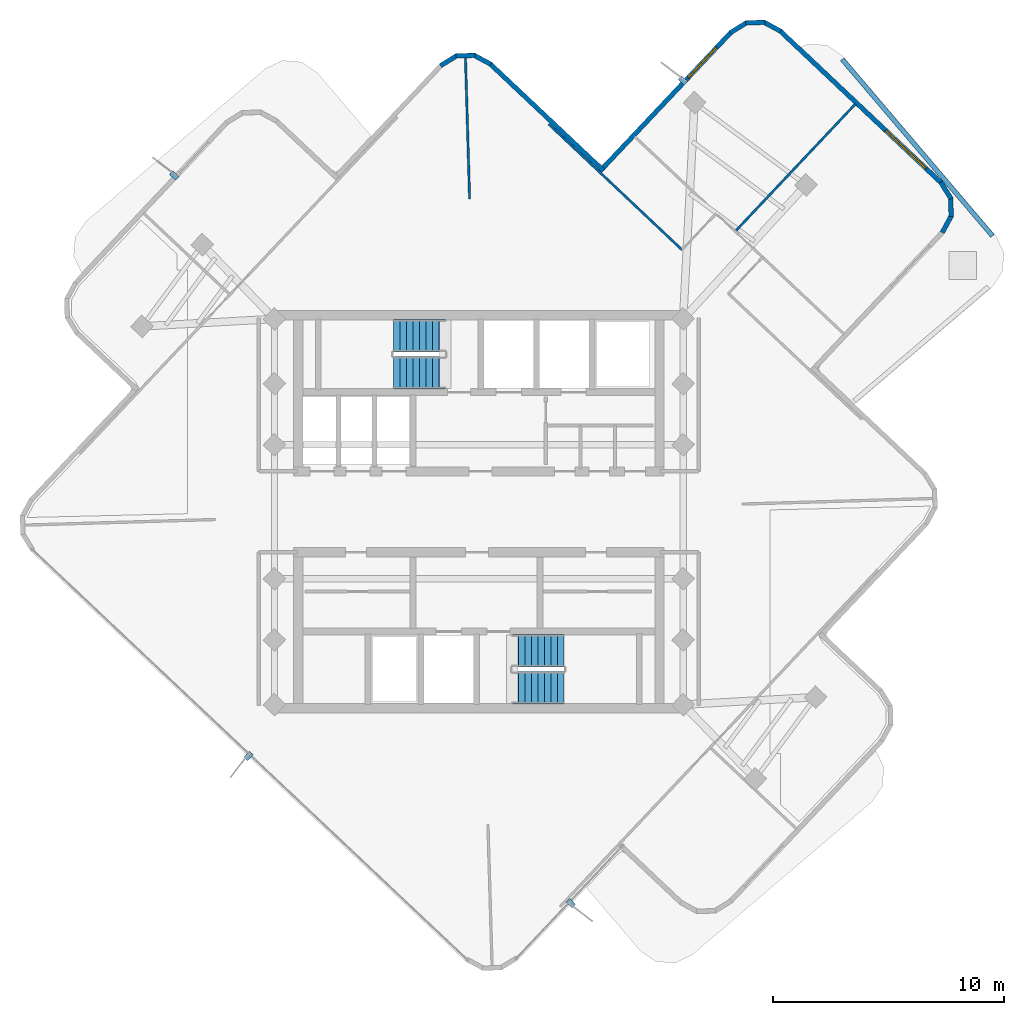
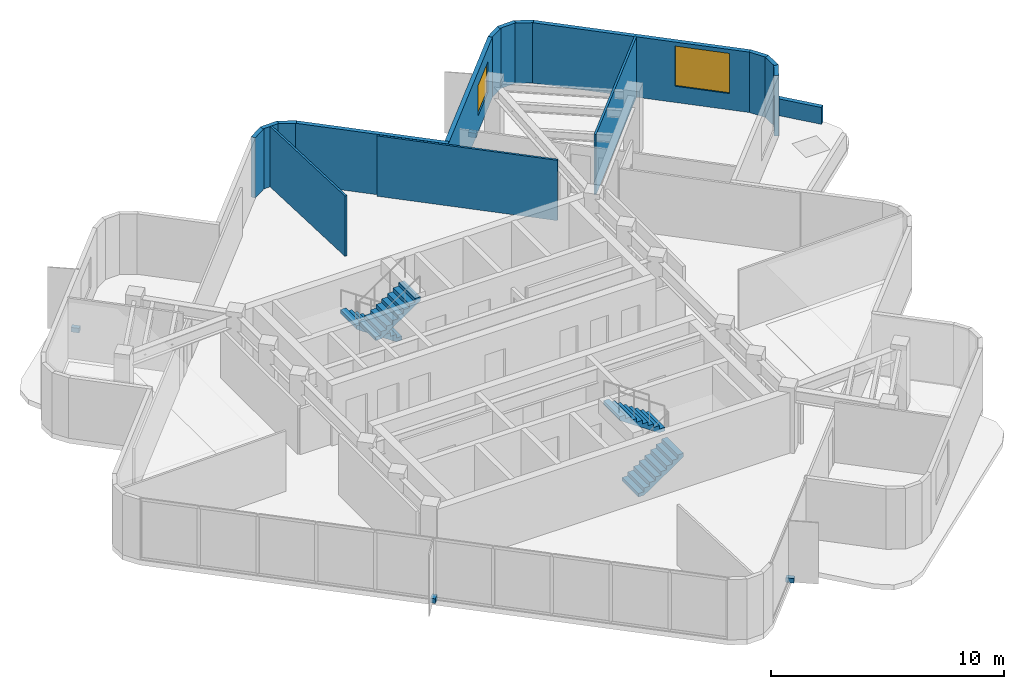
# One storey, part 8 of 10: 16 walls, 4 discrete accessories, 4 stair flights, 2 windows, 2 openings, 2 elements without a shape of their own.
"""IFC4 building model written with IfcOpenShell, lengths in metres."""

from ifc_helpers import new_model, si_unit, direction, frame, frame_2d, origin, origin_2d, place, context, subcontext, project, spatial, polyline, rectangle, outline, extrude, material, layer, layer_set, type_object, element, fill, aggregate, save


model = new_model("IFC4")

# Units and contexts
model_context = context("Model", 3, precision=1e-05, world=origin(), true_north=direction((0.0, 1.0)))
body_context = subcontext(model_context, "Body", "Model", "MODEL_VIEW")
ifc_project = project(units=[si_unit("LENGTHUNIT", "METRE"), si_unit("AREAUNIT", "SQUARE_METRE"), si_unit("VOLUMEUNIT", "CUBIC_METRE"), si_unit("PLANEANGLEUNIT", "RADIAN"), si_unit("MASSUNIT", "GRAM", prefix="KILO")], contexts=[model_context])

# Site, building, storey
site_placement = place(None, origin())
site = spatial("IfcSite", under=ifc_project, at=site_placement, CompositionType="ELEMENT")
building_placement = place(site_placement, origin())
building = spatial("IfcBuilding", under=site, at=building_placement, Name="Solmarez Civic Tower", CompositionType="ELEMENT")
storey_placement = place(building_placement, frame((0.0, 0.0, 244.080078125)))
storey = spatial("IfcBuildingStorey", under=building, at=storey_placement, Name="L65", CompositionType="ELEMENT", Elevation=244.080078125)

# Walls
ifc_material_1 = material(Name="Precast concrete C40/50", Category="concrete")
ifc_layer_1 = layer(ifc_material_1, 0.199951171875)
ifc_layer_set_1 = layer_set([ifc_layer_1], Name="Precast concrete C40/50")
wall_type_1 = type_object("IfcWallType", Name="WALL-EXT-200", PredefinedType="SOLIDWALL", material=ifc_layer_set_1)
wall_1_placement = place(storey_placement, frame((-1.657958984375, 19.31298828125, 0.0), z_axis=(0.0, 0.0, 1.0), x_axis=(0.850997215859, 0.52517019965, 0.0)))
element("IfcWall", 1, at=wall_1_placement, inside=storey, type_object=wall_type_1, Name="L65 Exterior Precast Wall 25", PredefinedType="SOLIDWALL", context=body_context, shape_type="SweptSolid", body=[
    extrude(rectangle(XDim=0.837646484375, YDim=0.199951171875, at=frame_2d((0.4189453125, 0.0))), origin(), (0.0, 0.0, 1.0), 3.159912109375),
])
wall_2_placement = place(storey_placement, frame((-0.990966796875, 19.739013671875, 0.0), z_axis=(0.0, 0.0, 1.0), x_axis=(0.999578691641, 0.029024803491, 0.0)))
element("IfcWall", 2, at=wall_2_placement, inside=storey, type_object=wall_type_1, Name="L65 Exterior Precast Wall 26", PredefinedType="SOLIDWALL", context=body_context, shape_type="SweptSolid", body=[
    extrude(rectangle(XDim=0.82421875, YDim=0.199951171875, at=frame_2d((0.412109375, 0.0))), origin(), (0.0, 0.0, 1.0), 3.159912109375),
])
wall_3_placement = place(storey_placement, frame((-0.214111328125, 19.77392578125, 0.0), z_axis=(0.0, 0.0, 1.0), x_axis=(0.880199822755, -0.474603278561, 0.0)))
element("IfcWall", 3, at=wall_3_placement, inside=storey, type_object=wall_type_1, Name="L65 Exterior Precast Wall 27", PredefinedType="SOLIDWALL", context=body_context, shape_type="SweptSolid", body=[
    extrude(rectangle(XDim=0.83837890625, YDim=0.199951171875, at=frame_2d((0.419189453125, 0.0))), origin(), (0.0, 0.0, 1.0), 3.159912109375),
])
wall_4_placement = place(storey_placement, frame((0.48388671875, 19.405029296875, 0.0), z_axis=(0.0, 0.0, 1.0), x_axis=(0.727574426042, -0.686028756372, 0.0)))
element("IfcWall", 4, at=wall_4_placement, inside=storey, type_object=wall_type_1, Name="L65 Exterior Precast Wall 28", PredefinedType="SOLIDWALL", context=body_context, shape_type="SweptSolid", body=[
    extrude(rectangle(XDim=6.740234375, YDim=0.199951171875, at=frame_2d((3.3701171875, 0.0))), origin(), (0.0, 0.0, 1.0), 3.159912109375),
])

# Wall, opening, window
wall_5_placement = place(storey_placement, frame((5.27490234375, 14.778076171875, 0.0), z_axis=(0.0, 0.0, 1.0), x_axis=(0.686187598971, 0.72742462085, 0.0)))
wall_5 = element("IfcWall", 5, at=wall_5_placement, inside=storey, type_object=wall_type_1, Name="L65 Exterior Precast Wall 31", PredefinedType="SOLIDWALL", context=body_context, shape_type="SweptSolid", body=[
    extrude(rectangle(XDim=8.2412109375, YDim=0.199951171875, at=frame_2d((4.12060546875, 0.0))), origin(), (0.0, 0.0, 1.0), 3.159912109375),
])
opening_1_placement = place(wall_5_placement, frame((5.528076171875, 0.0, 0.85009765625)))
opening_1 = element("IfcOpeningElement", 6, at=opening_1_placement, cuts=wall_5, Name="Opening W-12", PredefinedType="OPENING", context=body_context, shape_type="SweptSolid", body=[
    extrude(rectangle(XDim=1.800048828125, YDim=1.60009765625, at=frame_2d((0.89990234375, 0.800048828125))), frame((0.0, 0.10986328125, 0.0), z_axis=(0.0, -1.0, 0.0), x_axis=(1.0, 0.0, 0.0)), (0.0, 0.0, 1.0), 0.219970703125),
])
ifc_material_2 = material(Name="Solar Control Bronze-Tinted Insulating Glass", Category="glass")
window_type_1 = type_object("IfcWindowType", Name="WIN-1800X1600", PartitioningType="SINGLE_PANEL", PredefinedType="WINDOW", material=ifc_material_2)
window_1_placement = place(opening_1_placement, origin())
window_1 = element("IfcWindow", 7, at=window_1_placement, inside=storey, type_object=window_type_1, Name="L65 Exterior Facade Window 31", OverallHeight=1.60009765625, OverallWidth=1.800048828125, PartitioningType="SINGLE_PANEL", PredefinedType="WINDOW", context=body_context, shape_type="SweptSolid", body=[
    extrude(rectangle(XDim=1.800048828125, YDim=1.60009765625, at=frame_2d((0.89990234375, 0.800048828125))), frame((0.0, 0.030029296875, 0.0), z_axis=(0.0, -1.0, 0.0), x_axis=(1.0, 0.0, 0.0)), (0.0, 0.0, 1.0), 0.06005859375),
])
fill(opening_1, window_1)

# Walls
wall_6_placement = place(storey_placement, frame((10.89208984375, 20.741943359375, 0.0), z_axis=(0.0, 0.0, 1.0), x_axis=(0.850997215859, 0.52517019965, 0.0)))
element("IfcWall", 8, at=wall_6_placement, inside=storey, type_object=wall_type_1, Name="L65 Exterior Precast Wall 32", PredefinedType="SOLIDWALL", context=body_context, shape_type="SweptSolid", body=[
    extrude(rectangle(XDim=0.837646484375, YDim=0.199951171875, at=frame_2d((0.4189453125, 0.0))), origin(), (0.0, 0.0, 1.0), 3.159912109375),
])
wall_7_placement = place(storey_placement, frame((11.55908203125, 21.16796875, 0.0), z_axis=(0.0, 0.0, 1.0), x_axis=(0.999534635062, 0.03050431627, 0.0)))
element("IfcWall", 9, at=wall_7_placement, inside=storey, type_object=wall_type_1, Name="L65 Exterior Precast Wall 33", PredefinedType="SOLIDWALL", context=body_context, shape_type="SweptSolid", body=[
    extrude(rectangle(XDim=0.824462890625, YDim=0.199951171875, at=frame_2d((0.412109375, 0.0))), origin(), (0.0, 0.0, 1.0), 3.159912109375),
])
wall_8_placement = place(storey_placement, frame((12.3359375, 21.2041015625, 0.0), z_axis=(0.0, 0.0, 1.0), x_axis=(0.880078176624, -0.474828814447, 0.0)))
element("IfcWall", 10, at=wall_8_placement, inside=storey, type_object=wall_type_1, Name="L65 Exterior Precast Wall 34", PredefinedType="SOLIDWALL", context=body_context, shape_type="SweptSolid", body=[
    extrude(rectangle(XDim=0.838623046875, YDim=0.199951171875, at=frame_2d((0.41943359375, 0.0))), origin(), (0.0, 0.0, 1.0), 3.159912109375),
])

# Wall, opening, window
wall_9_placement = place(storey_placement, frame((13.033935546875, 20.8349609375, 0.0), z_axis=(0.0, 0.0, 1.0), x_axis=(0.727480137234, -0.686128741513, 0.0)))
wall_9 = element("IfcWall", 11, at=wall_9_placement, inside=storey, type_object=wall_type_1, Name="L65 Exterior Precast Wall 35", PredefinedType="SOLIDWALL", context=body_context, shape_type="SweptSolid", body=[
    extrude(rectangle(XDim=9.62353515625, YDim=0.199951171875, at=frame_2d((4.811767578125, 0.0))), origin(), (0.0, 0.0, 1.0), 3.159912109375),
])
opening_2_placement = place(wall_9_placement, frame((6.305908203125, 0.0, 0.85009765625)))
opening_2 = element("IfcOpeningElement", 12, at=opening_2_placement, cuts=wall_9, Name="Opening W-02", PredefinedType="OPENING", context=body_context, shape_type="SweptSolid", body=[
    extrude(rectangle(XDim=2.39990234375, YDim=2.10009765625, at=frame_2d((1.199951171875, 1.050048828125))), frame((0.0, 0.10986328125, 0.0), z_axis=(0.0, -1.0, 0.0), x_axis=(1.0, 0.0, 0.0)), (0.0, 0.0, 1.0), 0.219970703125),
])
window_type_2 = type_object("IfcWindowType", Name="WIN-2400X2100", PartitioningType="SINGLE_PANEL", PredefinedType="WINDOW", material=ifc_material_2)
window_2_placement = place(opening_2_placement, origin())
window_2 = element("IfcWindow", 13, at=window_2_placement, inside=storey, type_object=window_type_2, Name="L65 Exterior Facade Window 35", OverallHeight=2.10009765625, OverallWidth=2.39990234375, PartitioningType="SINGLE_PANEL", PredefinedType="WINDOW", context=body_context, shape_type="SweptSolid", body=[
    extrude(rectangle(XDim=2.39990234375, YDim=2.10009765625, at=frame_2d((1.199951171875, 1.050048828125))), frame((0.0, 0.030029296875, 0.0), z_axis=(0.0, -1.0, 0.0), x_axis=(1.0, 0.0, 0.0)), (0.0, 0.0, 1.0), 0.06005859375),
])
fill(opening_2, window_2)

# Walls
wall_10_placement = place(storey_placement, frame((20.00390625, 14.27001953125, 0.0), z_axis=(0.0, 0.0, 1.0), x_axis=(0.525902672248, -0.85054475445, 0.0)))
element("IfcWall", 14, at=wall_10_placement, inside=storey, type_object=wall_type_1, Name="L65 Exterior Precast Wall 36", PredefinedType="SOLIDWALL", context=body_context, shape_type="SweptSolid", body=[
    extrude(rectangle(XDim=0.8369140625, YDim=0.199951171875, at=frame_2d((0.41845703125, 0.0))), origin(), (0.0, 0.0, 1.0), 3.159912109375),
])
wall_11_placement = place(storey_placement, frame((20.429931640625, 13.60400390625, 0.0), z_axis=(0.0, 0.0, 1.0), x_axis=(0.030468239346, -0.999535735425, 0.0)))
element("IfcWall", 15, at=wall_11_placement, inside=storey, type_object=wall_type_1, Name="L65 Exterior Precast Wall 37", PredefinedType="SOLIDWALL", context=body_context, shape_type="SweptSolid", body=[
    extrude(rectangle(XDim=0.825439453125, YDim=0.199951171875, at=frame_2d((0.41259765625, 0.0))), origin(), (0.0, 0.0, 1.0), 3.159912109375),
])
wall_12_placement = place(storey_placement, frame((20.466064453125, 12.825927734375, 0.0), z_axis=(0.0, 0.0, 1.0), x_axis=(-0.474603278561, -0.880199822755, 0.0)))
element("IfcWall", 16, at=wall_12_placement, inside=storey, type_object=wall_type_1, Name="L65 Exterior Precast Wall 38", PredefinedType="SOLIDWALL", context=body_context, shape_type="SweptSolid", body=[
    extrude(rectangle(XDim=0.83837890625, YDim=0.199951171875, at=frame_2d((0.419189453125, 0.0))), origin(), (0.0, 0.0, 1.0), 3.159912109375),
])
ifc_material_3 = material(Name="Gypsum Board Acoustic Steel-Stud Partition", Category="steel")
ifc_layer_2 = layer(ifc_material_3, 0.10009765625)
ifc_layer_set_2 = layer_set([ifc_layer_2], Name="Gypsum Board Acoustic Steel-Stud Partition")
wall_type_2 = type_object("IfcWallType", Name="WALL-INT-PART-100", PredefinedType="PARTITIONING", material=ifc_layer_set_2)
wall_13_placement = place(storey_placement, frame((-0.39697265625, 13.5400390625, 0.0), z_axis=(0.0, 0.0, 1.0), x_axis=(-0.029263699144, 0.999571726247, 0.0)))
element("IfcWall", 17, at=wall_13_placement, inside=storey, type_object=wall_type_2, Name="L65 Interior Partition PT-L65-QDIV-1", PredefinedType="PARTITIONING", context=body_context, shape_type="SweptSolid", body=[
    extrude(rectangle(XDim=6.148681640625, YDim=0.10009765625, at=frame_2d((3.07421875, 0.0))), origin(), (0.0, 0.0, 1.0), 3.159912109375),
])
wall_14_placement = place(storey_placement, frame((8.806884765625, 11.3359375, 0.0), z_axis=(0.0, 0.0, 1.0), x_axis=(-0.727546923281, 0.68605792352, 0.0)))
element("IfcWall", 18, at=wall_14_placement, inside=storey, type_object=wall_type_2, Name="L65 Interior Partition PT-L65-E-EFL", PredefinedType="PARTITIONING", context=body_context, shape_type="SweptSolid", body=[
    extrude(rectangle(XDim=7.949951171875, YDim=0.10009765625, at=frame_2d((3.97509765625, 0.0))), origin(), (0.0, 0.0, 1.0), 3.159912109375),
])
wall_15_placement = place(storey_placement, frame((11.14501953125, 12.18310546875, 0.0), z_axis=(0.0, 0.0, 1.0), x_axis=(0.686088923395, 0.727517689953, 0.0)))
element("IfcWall", 19, at=wall_15_placement, inside=storey, type_object=wall_type_2, Name="L65 Interior Partition PT-L65-E-TM", PredefinedType="PARTITIONING", context=body_context, shape_type="SweptSolid", body=[
    extrude(rectangle(XDim=7.525390625, YDim=0.10009765625, at=frame_2d((3.7626953125, 0.0))), origin(), (0.0, 0.0, 1.0), 3.159912109375),
])
ifc_layer_3 = layer(ifc_material_1, 0.199951171875)
ifc_layer_set_3 = layer_set([ifc_layer_3], Name="Precast concrete C40/50")
wall_type_3 = type_object("IfcWallType", Name="WALL-PARAPET-200", PredefinedType="PARAPET", material=ifc_layer_set_3)
wall_16_placement = place(storey_placement, frame((22.242919921875, 11.944091796875, 0.0), z_axis=(0.0, 0.0, 1.0), x_axis=(-0.648152232586, 0.761510790071, 0.0)))
element("IfcWall", 20, at=wall_16_placement, inside=storey, type_object=wall_type_3, Name="L65 Roof Perimeter Parapet 13", PredefinedType="PARAPET", context=body_context, shape_type="SweptSolid", body=[
    extrude(rectangle(XDim=10.04052734375, YDim=0.199951171875, at=frame_2d((5.020263671875, 0.0))), origin(), (0.0, 0.0, 1.0), 0.8798828125),
])

# Stair, stair flights
ifc_material_4 = material(Name="Concrete C50/60", Category="concrete")
stair_type = type_object("IfcStairType", Name="STAIR-DOGLEG-140W-18R-1900", PredefinedType="HALF_TURN_STAIR", material=ifc_material_4)
stair_1_placement = place(storey_placement, origin())
stair_1 = element("IfcStair", 21, at=stair_1_placement, inside=storey, type_object=stair_type, Name="L65 North Core Protected Exit Stair ST-1", PredefinedType="HALF_TURN_STAIR")
stair_flight_type = type_object("IfcStairFlightType", Name="FLIGHT-DOGLEG-140W-9R-1900", PredefinedType="STRAIGHT", material=ifc_material_4)
stair_flight_1_placement = place(storey_placement, frame((-1.449951171875, 7.6201171875, 0.0), z_axis=(0.0, 0.0, 1.0), x_axis=(-1.0, 0.0, 0.0)))
stair_flight_1 = element("IfcStairFlight", 22, at=stair_flight_1_placement, type_object=stair_flight_type, Name="ST-1 flight 1", NumberOfRisers=9, NumberOfTreads=8, PredefinedType="STRAIGHT", RiserHeight=0.19, TreadLength=0.28, context=body_context, shape_type="SweptSolid", body=[
    extrude(outline(polyline([(0.0, 0.0), (0.0, 0.18994140625), (0.280029296875, 0.18994140625), (0.280029296875, 0.3798828125), (0.56005859375, 0.3798828125), (0.56005859375, 0.570068359375), (0.840087890625, 0.570068359375), (0.840087890625, 0.760009765625), (1.1201171875, 0.760009765625), (1.1201171875, 0.949951171875), (1.39990234375, 0.949951171875), (1.39990234375, 1.139892578125), (1.679931640625, 1.139892578125), (1.679931640625, 1.330078125), (1.9599609375, 1.330078125), (1.9599609375, 1.52001953125), (2.239990234375, 1.52001953125), (2.239990234375, 1.7099609375), (2.239990234375, 1.32666015625), (0.284912109375, 0.0), (0.0, 0.0)])), frame((0.0, 0.699951171875, 0.0), z_axis=(0.0, -1.0, 0.0), x_axis=(1.0, 0.0, 0.0)), (0.0, 0.0, 1.0), 1.39990234375),
])
stair_flight_2_placement = place(storey_placement, frame((-3.68994140625, 6.02001953125, 1.7099609375), z_axis=(0.0, 0.0, 1.0), x_axis=(1.0, 0.0, 0.0)))
stair_flight_2 = element("IfcStairFlight", 23, at=stair_flight_2_placement, type_object=stair_flight_type, Name="ST-1 flight 2", NumberOfRisers=9, NumberOfTreads=8, PredefinedType="STRAIGHT", RiserHeight=0.19, TreadLength=0.28, context=body_context, shape_type="SweptSolid", body=[
    extrude(outline(polyline([(0.0, 0.0), (0.0, 0.18994140625), (0.280029296875, 0.18994140625), (0.280029296875, 0.3798828125), (0.56005859375, 0.3798828125), (0.56005859375, 0.570068359375), (0.840087890625, 0.570068359375), (0.840087890625, 0.760009765625), (1.1201171875, 0.760009765625), (1.1201171875, 0.949951171875), (1.39990234375, 0.949951171875), (1.39990234375, 1.139892578125), (1.679931640625, 1.139892578125), (1.679931640625, 1.330078125), (1.9599609375, 1.330078125), (1.9599609375, 1.52001953125), (2.239990234375, 1.52001953125), (2.239990234375, 1.7099609375), (2.239990234375, 1.32666015625), (0.284912109375, 0.0), (0.0, 0.0)])), frame((0.0, 0.699951171875, 0.0), z_axis=(0.0, -1.0, 0.0), x_axis=(1.0, 0.0, 0.0)), (0.0, 0.0, 1.0), 1.39990234375),
])
aggregate(stair_1, [stair_flight_1, stair_flight_2])

stair_2_placement = place(storey_placement, origin())
stair_2 = element("IfcStair", 24, at=stair_2_placement, inside=storey, type_object=stair_type, Name="L65 South Core Protected Exit Stair ST-2", PredefinedType="HALF_TURN_STAIR")
stair_flight_3_placement = place(storey_placement, frame((1.449951171875, -7.6201171875, 0.0), z_axis=(0.0, 0.0, 1.0), x_axis=(1.0, 0.0, 0.0)))
stair_flight_3 = element("IfcStairFlight", 25, at=stair_flight_3_placement, type_object=stair_flight_type, Name="ST-2 flight 1", NumberOfRisers=9, NumberOfTreads=8, PredefinedType="STRAIGHT", RiserHeight=0.19, TreadLength=0.28, context=body_context, shape_type="SweptSolid", body=[
    extrude(outline(polyline([(0.0, 0.0), (0.0, 0.18994140625), (0.280029296875, 0.18994140625), (0.280029296875, 0.3798828125), (0.56005859375, 0.3798828125), (0.56005859375, 0.570068359375), (0.840087890625, 0.570068359375), (0.840087890625, 0.760009765625), (1.1201171875, 0.760009765625), (1.1201171875, 0.949951171875), (1.39990234375, 0.949951171875), (1.39990234375, 1.139892578125), (1.679931640625, 1.139892578125), (1.679931640625, 1.330078125), (1.9599609375, 1.330078125), (1.9599609375, 1.52001953125), (2.239990234375, 1.52001953125), (2.239990234375, 1.7099609375), (2.239990234375, 1.32666015625), (0.284912109375, 0.0), (0.0, 0.0)])), frame((0.0, 0.699951171875, 0.0), z_axis=(0.0, -1.0, 0.0), x_axis=(1.0, 0.0, 0.0)), (0.0, 0.0, 1.0), 1.39990234375),
])
stair_flight_4_placement = place(storey_placement, frame((3.68994140625, -6.02001953125, 1.7099609375), z_axis=(0.0, 0.0, 1.0), x_axis=(-1.0, 0.0, 0.0)))
stair_flight_4 = element("IfcStairFlight", 26, at=stair_flight_4_placement, type_object=stair_flight_type, Name="ST-2 flight 2", NumberOfRisers=9, NumberOfTreads=8, PredefinedType="STRAIGHT", RiserHeight=0.19, TreadLength=0.28, context=body_context, shape_type="SweptSolid", body=[
    extrude(outline(polyline([(0.0, 0.0), (0.0, 0.18994140625), (0.280029296875, 0.18994140625), (0.280029296875, 0.3798828125), (0.56005859375, 0.3798828125), (0.56005859375, 0.570068359375), (0.840087890625, 0.570068359375), (0.840087890625, 0.760009765625), (1.1201171875, 0.760009765625), (1.1201171875, 0.949951171875), (1.39990234375, 0.949951171875), (1.39990234375, 1.139892578125), (1.679931640625, 1.139892578125), (1.679931640625, 1.330078125), (1.9599609375, 1.330078125), (1.9599609375, 1.52001953125), (2.239990234375, 1.52001953125), (2.239990234375, 1.7099609375), (2.239990234375, 1.32666015625), (0.284912109375, 0.0), (0.0, 0.0)])), frame((0.0, 0.699951171875, 0.0), z_axis=(0.0, -1.0, 0.0), x_axis=(1.0, 0.0, 0.0)), (0.0, 0.0, 1.0), 1.39990234375),
])
aggregate(stair_2, [stair_flight_3, stair_flight_4])

# Discrete accessories
ifc_material_5 = material(Name="Stainless Steel Grade 1.4401", Category="steel")
discrete_accessory_type = type_object("IfcDiscreteAccessoryType", Name="BRACKET-SS-FIN", PredefinedType="BRACKET", material=ifc_material_5)
for number, where, z_axis, x_axis, name in (
    (27, (3.990966796875, -16.946044921875, -0.06005859375), (0.0, 0.0, 1.0), (0.727518501468, -0.686088062877, 0.0), "L65 Stainless Fin Support Bracket FIN-L65-01"),
    (28, (-9.968994140625, -10.571044921875, -0.06005859375), (0.0, 0.0, 1.0), (-0.686067233286, -0.7275381443, 0.0), "L65 Stainless Fin Support Bracket FIN-L65-02"),
    (29, (-13.18603515625, 14.556884765625, -0.06005859375), (0.0, 0.0, 1.0), (-0.727537266272, 0.686068164387, 0.0), "L65 Stainless Fin Support Bracket FIN-L65-03"),
    (30, (8.837890625, 18.672119140625, -0.06005859375), (0.0, 0.0, 1.0), (-0.727452681323, 0.686157850962, 0.0), "L65 Stainless Fin Support Bracket FIN-L65-04"),
):
    element("IfcDiscreteAccessory", number, at=place(storey_placement, frame(where, z_axis=z_axis, x_axis=x_axis)), inside=storey, type_object=discrete_accessory_type, Name=name, PredefinedType="BRACKET", context=body_context, shape_type="SweptSolid", body=[
        extrude(rectangle(XDim=0.360107421875, YDim=0.219970703125, at=origin_2d()), origin(), (0.0, 0.0, 1.0), 0.239990234375),
    ])

save(model, "model.ifc")
